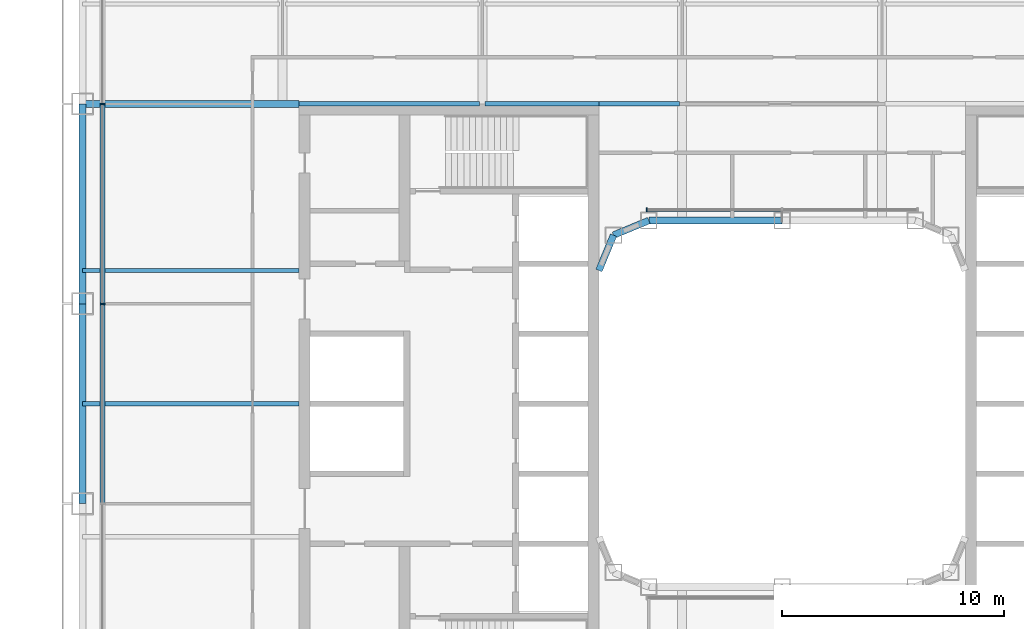
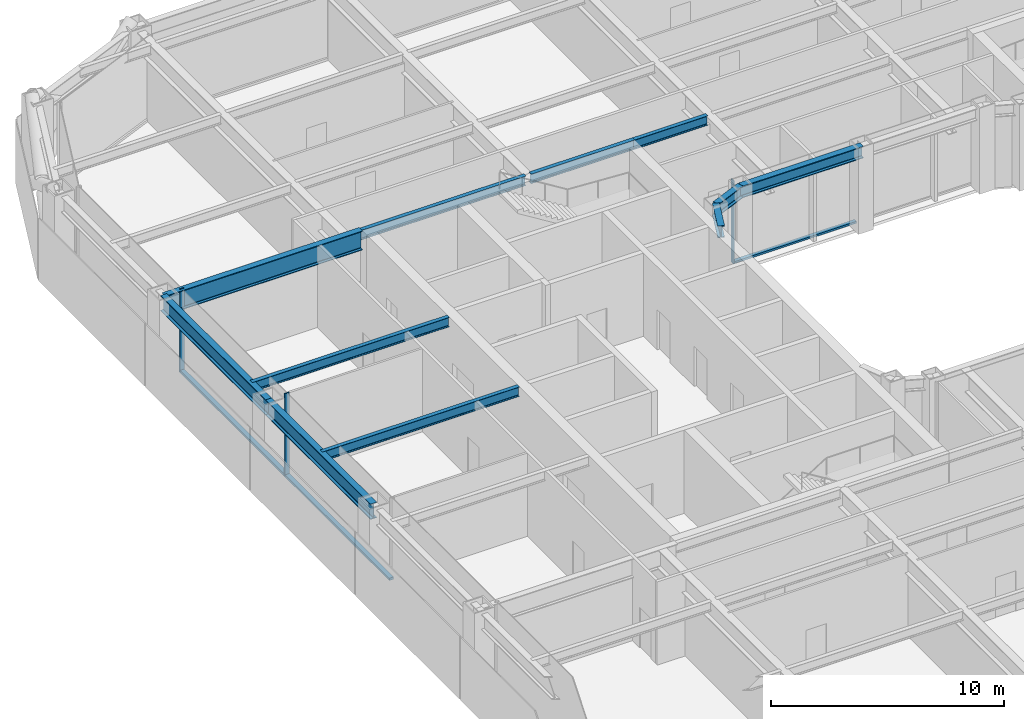
# One storey, part 6 of 27: 11 beams, 6 members, 2 elements without a shape of their own.
"""IFC4 building model written with IfcOpenShell, lengths in metres."""

from ifc_helpers import new_model, si_unit, direction, frame, origin, origin_2d, place, context, subcontext, project, spatial, rectangle, i_section, extrude, material, layer, layer_set, material_profile, profile_set, type_object, element, aggregate, save


model = new_model("IFC4")

# Units and contexts
model_context = context("Model", 3, precision=1e-05, world=origin(), true_north=direction((0.0, 1.0)))
body_context = subcontext(model_context, "Body", "Model", "MODEL_VIEW")
ifc_project = project(units=[si_unit("LENGTHUNIT", "METRE"), si_unit("AREAUNIT", "SQUARE_METRE"), si_unit("VOLUMEUNIT", "CUBIC_METRE"), si_unit("PLANEANGLEUNIT", "RADIAN"), si_unit("MASSUNIT", "GRAM", prefix="KILO")], contexts=[model_context])

# Site, building, storey
site_placement = place(None, origin())
site = spatial("IfcSite", under=ifc_project, at=site_placement, CompositionType="ELEMENT")
building_placement = place(site_placement, origin())
building = spatial("IfcBuilding", under=site, at=building_placement, Name="Siwar Civic Tower", CompositionType="ELEMENT")
storey_placement = place(building_placement, frame((0.0, 0.0, 53.699951171875)))
storey = spatial("IfcBuildingStorey", under=building, at=storey_placement, Name="L11", CompositionType="ELEMENT", Elevation=53.699951171875)

# Curtain wall, members
ifc_material_1 = material(Name="Aluminium and glass", Category="aluminium")
ifc_layer_1 = layer(ifc_material_1, 0.219970703125)
ifc_layer_set_1 = layer_set([ifc_layer_1], Name="Aluminium and glass")
curtain_wall_type_1 = type_object("IfcCurtainWallType", Name="ENV-CW-A", PredefinedType="NOTDEFINED", material=ifc_layer_set_1)
curtain_wall_1_placement = place(storey_placement, origin())
curtain_wall_1 = element("IfcCurtainWall", 1, at=curtain_wall_1_placement, inside=storey, type_object=curtain_wall_type_1, Name="Curtain wall A W", PredefinedType="NOTDEFINED")
ifc_material_2 = material(Name="Aluminium 6063-T6", Category="aluminium")
ifc_material_profile_1 = material_profile(ifc_material_2, rectangle(XDim=0.219970703125, YDim=0.070068359375, at=origin_2d()), Name="AL 220x70")
ifc_profile_set_1 = profile_set([ifc_material_profile_1], Name="Aluminium 6063-T6")
member_type_1 = type_object("IfcMemberType", Name="ENV-MULLION-A", PredefinedType="MULLION", material=ifc_profile_set_1)
member_1_placement = place(storey_placement, frame((-30.60009765625, 13.5, 0.0), z_axis=(0.0, 0.0, 1.0), x_axis=(1.0, 0.0, 0.0)))
member_1 = element("IfcMember", 2, at=member_1_placement, type_object=member_type_1, Name="Mullion A W 2", PredefinedType="MULLION", context=body_context, shape_type="SweptSolid", body=[
    extrude(rectangle(XDim=0.219970703125, YDim=0.070068359375, at=origin_2d()), origin(), (0.0, 0.0, 1.0), 4.35009765625),
])
member_2_placement = place(storey_placement, frame((-30.60009765625, 4.5, 0.0), z_axis=(0.0, 0.0, 1.0), x_axis=(1.0, 0.0, 0.0)))
member_2 = element("IfcMember", 3, at=member_2_placement, type_object=member_type_1, Name="Mullion A W 3", PredefinedType="MULLION", context=body_context, shape_type="SweptSolid", body=[
    extrude(rectangle(XDim=0.219970703125, YDim=0.070068359375, at=origin_2d()), origin(), (0.0, 0.0, 1.0), 4.35009765625),
])

# Curtain wall, member
ifc_material_3 = material(Name="Aluminium and glass", Category="aluminium")
ifc_layer_2 = layer(ifc_material_3, 0.179931640625)
ifc_layer_set_2 = layer_set([ifc_layer_2], Name="Aluminium and glass")
curtain_wall_type_2 = type_object("IfcCurtainWallType", Name="ENV-CW-W", PredefinedType="NOTDEFINED", material=ifc_layer_set_2)
curtain_wall_2_placement = place(storey_placement, origin())
curtain_wall_2 = element("IfcCurtainWall", 4, at=curtain_wall_2_placement, inside=storey, type_object=curtain_wall_type_2, Name="Curtain wall W WN", PredefinedType="NOTDEFINED")
ifc_material_4 = material(Name="Aluminium 6063-T6", Category="aluminium")
ifc_material_profile_2 = material_profile(ifc_material_4, rectangle(XDim=0.179931640625, YDim=0.06005859375, at=origin_2d()), Name="AL 180x60")
ifc_profile_set_2 = profile_set([ifc_material_profile_2], Name="Aluminium 6063-T6")
member_type_2 = type_object("IfcMemberType", Name="ENV-MULLION-W", PredefinedType="MULLION", material=ifc_profile_set_2)
member_3_placement = place(storey_placement, frame((-6.096435546875, 8.735107421875, 0.0), z_axis=(0.0, 0.0, 1.0), x_axis=(0.0, -1.0, 0.0)))
member_3 = element("IfcMember", 5, at=member_3_placement, type_object=member_type_2, Name="Mullion W WN 3", PredefinedType="MULLION", context=body_context, shape_type="SweptSolid", body=[
    extrude(rectangle(XDim=0.179931640625, YDim=0.06005859375, at=origin_2d()), origin(), (0.0, 0.0, 1.0), 4.35009765625),
])

# Member
ifc_material_5 = material(Name="Aluminium 6063-T6", Category="aluminium")
ifc_material_profile_3 = material_profile(ifc_material_5, rectangle(XDim=0.219970703125, YDim=0.1201171875, at=origin_2d()), Name="AL 220x120")
ifc_profile_set_3 = profile_set([ifc_material_profile_3], Name="Aluminium 6063-T6")
member_type_3 = type_object("IfcMemberType", Name="ENV-TRANSOM-A", PredefinedType="USERDEFINED", material=ifc_profile_set_3)
member_4_placement = place(storey_placement, frame((-30.60009765625, 13.465087890625, 0.06005859375), z_axis=(0.0, -1.0, 0.0), x_axis=(1.0, 0.0, 0.0)))
member_4 = element("IfcMember", 6, at=member_4_placement, type_object=member_type_3, Name="Transom A W 2", ObjectType="TRANSOM", PredefinedType="USERDEFINED", context=body_context, shape_type="SweptSolid", body=[
    extrude(rectangle(XDim=0.219970703125, YDim=0.1201171875, at=origin_2d()), origin(), (0.0, 0.0, 1.0), 8.93017578125),
])

member_5_placement = place(storey_placement, frame((-30.60009765625, 4.465087890625, 0.06005859375), z_axis=(0.0, -1.0, 0.0), x_axis=(1.0, 0.0, 0.0)))
member_5 = element("IfcMember", 7, at=member_5_placement, type_object=member_type_3, Name="Transom A W 3", ObjectType="TRANSOM", PredefinedType="USERDEFINED", context=body_context, shape_type="SweptSolid", body=[
    extrude(rectangle(XDim=0.219970703125, YDim=0.1201171875, at=origin_2d()), origin(), (0.0, 0.0, 1.0), 8.93017578125),
])

aggregate(curtain_wall_1, [member_1, member_2, member_4, member_5])

ifc_material_6 = material(Name="Aluminium 6063-T6", Category="aluminium")
ifc_material_profile_4 = material_profile(ifc_material_6, rectangle(XDim=0.179931640625, YDim=0.10009765625, at=origin_2d()), Name="AL 180x100")
ifc_profile_set_4 = profile_set([ifc_material_profile_4], Name="Aluminium 6063-T6")
member_type_4 = type_object("IfcMemberType", Name="ENV-TRANSOM-W", PredefinedType="USERDEFINED", material=ifc_profile_set_4)
member_6_placement = place(storey_placement, frame((-0.030029296875, 8.735107421875, 0.050048828125), z_axis=(-1.0, 0.0, 0.0), x_axis=(0.0, -1.0, 0.0)))
member_6 = element("IfcMember", 8, at=member_6_placement, type_object=member_type_4, Name="Transom W WN 2", ObjectType="TRANSOM", PredefinedType="USERDEFINED", context=body_context, shape_type="SweptSolid", body=[
    extrude(rectangle(XDim=0.179931640625, YDim=0.10009765625, at=origin_2d()), origin(), (0.0, 0.0, 1.0), 6.036376953125),
])

aggregate(curtain_wall_2, [member_3, member_6])

# Beams
ifc_material_7 = material(Name="Steel S355", Category="steel")
ifc_material_profile_5 = material_profile(ifc_material_7, i_section(OverallWidth=0.199951171875, OverallDepth=0.5, WebThickness=0.01025390625, FlangeThickness=0.01611328125, FilletRadius=0.02099609375, at=origin_2d()), Name="IPE500")
ifc_profile_set_5 = profile_set([ifc_material_profile_5], Name="Steel S355")
beam_type_1 = type_object("IfcBeamType", Name="STR-FB-IPE500", PredefinedType="JOIST", material=ifc_profile_set_5)
for number, where, z_axis, x_axis, name in (
    (9, (-31.5, 0.0, 4.10009765625), (1.0, 0.0, 0.0), (0.0, 1.0, 0.0), "L11/bm/F033"),
    (10, (-31.5, 6.0, 4.10009765625), (1.0, 0.0, 0.0), (0.0, 1.0, 0.0), "L11/bm/F035"),
):
    element("IfcBeam", number, at=place(storey_placement, frame(where, z_axis=z_axis, x_axis=x_axis)), inside=storey, type_object=beam_type_1, Name=name, PredefinedType="JOIST", context=body_context, shape_type="SweptSolid", body=[
        extrude(i_section(OverallWidth=0.199951171875, OverallDepth=0.5, WebThickness=0.01025390625, FlangeThickness=0.01611328125, FilletRadius=0.02099609375, at=origin_2d()), origin(), (0.0, 0.0, 1.0), 9.75),
    ])
beam_1_placement = place(storey_placement, frame((-21.75, 13.5, 4.10009765625), z_axis=(1.0, 0.0, 0.0), x_axis=(0.0, 1.0, 0.0)))
element("IfcBeam", 11, at=beam_1_placement, inside=storey, type_object=beam_type_1, Name="L11/bm/F038", PredefinedType="JOIST", context=body_context, shape_type="SweptSolid", body=[
    extrude(i_section(OverallWidth=0.199951171875, OverallDepth=0.5, WebThickness=0.01025390625, FlangeThickness=0.01611328125, FilletRadius=0.02099609375, at=origin_2d()), origin(), (0.0, 0.0, 1.0), 8.1201171875),
])
beam_2_placement = place(storey_placement, frame((-13.3701171875, 13.5, 4.10009765625), z_axis=(1.0, 0.0, 0.0), x_axis=(0.0, 1.0, 0.0)))
element("IfcBeam", 12, at=beam_2_placement, inside=storey, type_object=beam_type_1, Name="L11/bm/F039", PredefinedType="JOIST", context=body_context, shape_type="SweptSolid", body=[
    extrude(i_section(OverallWidth=0.199951171875, OverallDepth=0.5, WebThickness=0.01025390625, FlangeThickness=0.01611328125, FilletRadius=0.02099609375, at=origin_2d()), origin(), (0.0, 0.0, 1.0), 5.1201171875),
])
beam_3_placement = place(storey_placement, frame((-8.25, 13.5, 4.10009765625), z_axis=(1.0, 0.0, 0.0), x_axis=(0.0, 1.0, 0.0)))
element("IfcBeam", 13, at=beam_3_placement, inside=storey, type_object=beam_type_1, Name="L11/bm/F040", PredefinedType="JOIST", context=body_context, shape_type="SweptSolid", body=[
    extrude(i_section(OverallWidth=0.199951171875, OverallDepth=0.5, WebThickness=0.01025390625, FlangeThickness=0.01611328125, FilletRadius=0.02099609375, at=origin_2d()), origin(), (0.0, 0.0, 1.0), 3.6201171875),
])
ifc_material_8 = material(Name="Steel S355", Category="steel")
ifc_material_profile_6 = material_profile(ifc_material_8, i_section(OverallWidth=0.300048828125, OverallDepth=1.0, WebThickness=0.01904296875, FlangeThickness=0.035888671875, FilletRadius=0.030029296875, at=origin_2d()), Name="HEB1000")
ifc_profile_set_6 = profile_set([ifc_material_profile_6], Name="Steel S355")
beam_type_2 = type_object("IfcBeamType", Name="STR-PG-HEB1000", PredefinedType="BEAM", material=ifc_profile_set_6)
beam_4_placement = place(storey_placement, frame((-31.5, 13.5, 3.85009765625), z_axis=(1.0, 0.0, 0.0), x_axis=(0.0, 1.0, 0.0)))
element("IfcBeam", 14, at=beam_4_placement, inside=storey, type_object=beam_type_2, Name="L11/bm/F037", PredefinedType="BEAM", context=body_context, shape_type="SweptSolid", body=[
    extrude(i_section(OverallWidth=0.300048828125, OverallDepth=1.0, WebThickness=0.01904296875, FlangeThickness=0.035888671875, FilletRadius=0.030029296875, at=origin_2d()), origin(), (0.0, 0.0, 1.0), 9.75),
])
ifc_material_9 = material(Name="Steel S355", Category="steel")
ifc_material_profile_7 = material_profile(ifc_material_9, i_section(OverallWidth=0.304931640625, OverallDepth=0.6201171875, WebThickness=0.02099609375, FlangeThickness=0.0400390625, FilletRadius=0.027099609375, at=origin_2d()), Name="HEM600")
ifc_profile_set_7 = profile_set([ifc_material_profile_7], Name="Steel S355")
beam_type_3 = type_object("IfcBeamType", Name="STR-RB-HEM600", PredefinedType="BEAM", material=ifc_profile_set_7)
beam_5_placement = place(storey_placement, frame((-7.591064453125, 7.591064453125, 4.0400390625), z_axis=(0.923901072997, 0.382631424892, 0.0), x_axis=(-0.382631424892, 0.923901072997, 0.0)))
element("IfcBeam", 15, at=beam_5_placement, inside=storey, type_object=beam_type_3, Name="L11/bm/RN0", PredefinedType="BEAM", context=body_context, shape_type="SweptSolid", body=[
    extrude(i_section(OverallWidth=0.304931640625, OverallDepth=0.6201171875, WebThickness=0.02099609375, FlangeThickness=0.0400390625, FilletRadius=0.027099609375, at=origin_2d()), origin(), (0.0, 0.0, 1.0), 1.72216796875),
])
beam_6_placement = place(storey_placement, frame((-6.0, 8.25, 4.0400390625), z_axis=(1.0, 0.0, 0.0), x_axis=(0.0, 1.0, 0.0)))
element("IfcBeam", 16, at=beam_6_placement, inside=storey, type_object=beam_type_3, Name="L11/bm/RN1", PredefinedType="BEAM", context=body_context, shape_type="SweptSolid", body=[
    extrude(i_section(OverallWidth=0.304931640625, OverallDepth=0.6201171875, WebThickness=0.02099609375, FlangeThickness=0.0400390625, FilletRadius=0.027099609375, at=origin_2d()), origin(), (0.0, 0.0, 1.0), 6.0),
])
beam_7_placement = place(storey_placement, frame((-7.591064453125, 7.591064453125, 4.0400390625), z_axis=(-0.382631424892, -0.923901072997, 0.0), x_axis=(0.923901072997, -0.382631424892, 0.0)))
element("IfcBeam", 17, at=beam_7_placement, inside=storey, type_object=beam_type_3, Name="L11/bm/RNEW", PredefinedType="BEAM", context=body_context, shape_type="SweptSolid", body=[
    extrude(i_section(OverallWidth=0.304931640625, OverallDepth=0.6201171875, WebThickness=0.02099609375, FlangeThickness=0.0400390625, FilletRadius=0.027099609375, at=origin_2d()), origin(), (0.0, 0.0, 1.0), 1.72216796875),
])
ifc_material_10 = material(Name="Steel S355", Category="steel")
ifc_material_profile_8 = material_profile(ifc_material_10, i_section(OverallWidth=0.302978515625, OverallDepth=0.81396484375, WebThickness=0.02099609375, FlangeThickness=0.0400390625, FilletRadius=0.030029296875, at=origin_2d()), Name="HEM800")
ifc_profile_set_8 = profile_set([ifc_material_profile_8], Name="Steel S355")
beam_type_4 = type_object("IfcBeamType", Name="STR-SB-HEM800", PredefinedType="BEAM", material=ifc_profile_set_8)
for number, where, z_axis, x_axis, name in (
    (18, (-31.5, 13.5, 3.943115234375), (0.0, -1.0, 0.0), (1.0, 0.0, 0.0), "L11/bm/SW-1"),
    (19, (-31.5, 4.5, 3.943115234375), (0.0, -1.0, 0.0), (1.0, 0.0, 0.0), "L11/bm/SW-2"),
):
    element("IfcBeam", number, at=place(storey_placement, frame(where, z_axis=z_axis, x_axis=x_axis)), inside=storey, type_object=beam_type_4, Name=name, PredefinedType="BEAM", context=body_context, shape_type="SweptSolid", body=[
        extrude(i_section(OverallWidth=0.302978515625, OverallDepth=0.81396484375, WebThickness=0.02099609375, FlangeThickness=0.0400390625, FilletRadius=0.030029296875, at=origin_2d()), origin(), (0.0, 0.0, 1.0), 9.0),
    ])

save(model, "model.ifc")
